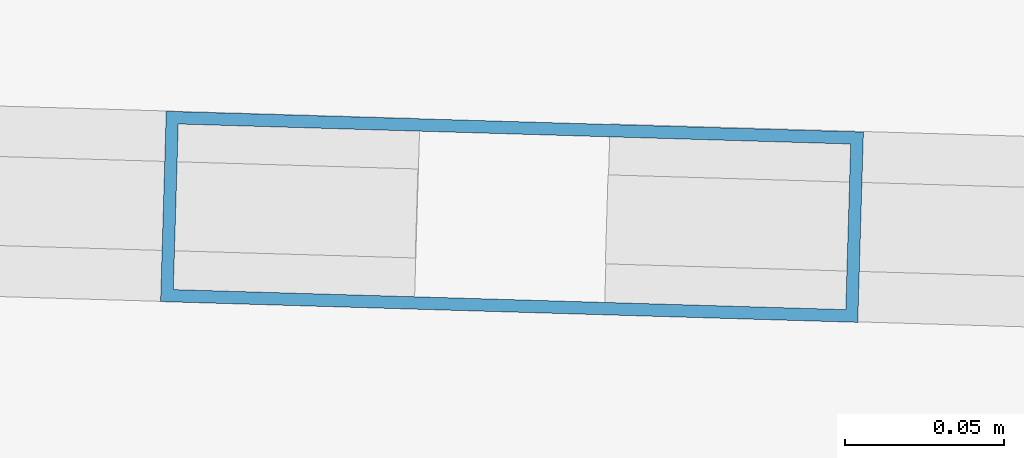
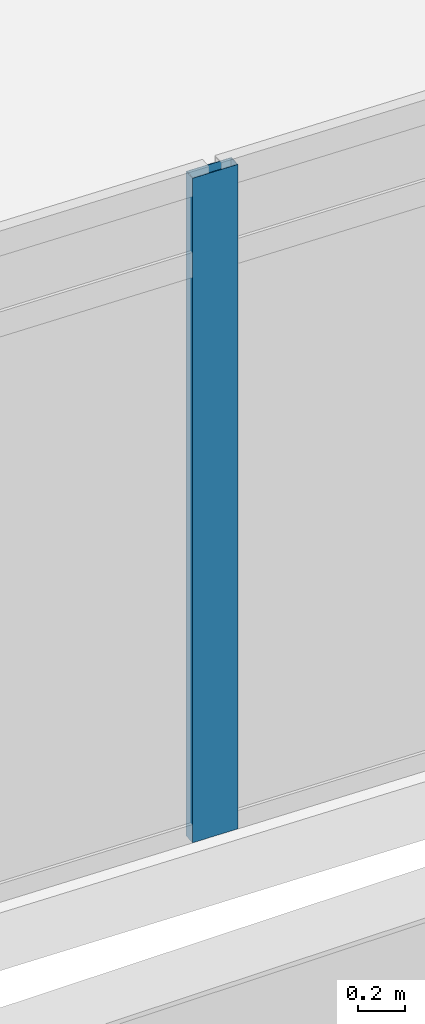
# One storey, part 5 of 28: 1 member, 1 element without a shape of its own.
"""IFC4 building model written with IfcOpenShell, lengths in metres."""

from ifc_helpers import new_model, si_unit, direction, frame, origin, origin_2d, place, context, subcontext, project, spatial, hollow_rectangle, extrude, material, material_profile, profile_set, type_object, element, aggregate, save


model = new_model("IFC4")

# Units and contexts
model_context = context("Model", 3, precision=1e-05, world=origin(), true_north=direction((0.0, 1.0)))
body_context = subcontext(model_context, "Body", "Model", "MODEL_VIEW")
ifc_project = project(units=[si_unit("LENGTHUNIT", "METRE"), si_unit("AREAUNIT", "SQUARE_METRE"), si_unit("VOLUMEUNIT", "CUBIC_METRE"), si_unit("PLANEANGLEUNIT", "RADIAN"), si_unit("MASSUNIT", "GRAM", prefix="KILO")], contexts=[model_context])

# Site, building, storey
site_placement = place(None, origin())
site = spatial("IfcSite", under=ifc_project, at=site_placement, CompositionType="ELEMENT")
building_placement = place(site_placement, origin())
building = spatial("IfcBuilding", under=site, at=building_placement, Name="Ostrander Bayou Hotel Tower", CompositionType="ELEMENT")
storey_placement = place(building_placement, frame((0.0, 0.0, 100.5)))
storey = spatial("IfcBuildingStorey", under=building, at=storey_placement, Name="L25", CompositionType="ELEMENT", Elevation=100.5)

# Curtain wall, member
ifc_material_1 = material(Name="Aluminium and clear glass", Category="aluminium")
curtain_wall_type = type_object("IfcCurtainWallType", Name="CW-BAR glazed wall", PredefinedType="NOTDEFINED", material=ifc_material_1)
curtain_wall_placement = place(storey_placement, origin())
curtain_wall = element("IfcCurtainWall", 1, at=curtain_wall_placement, inside=storey, type_object=curtain_wall_type, Name="CW-BAR L25:SB2S:T", PredefinedType="NOTDEFINED")
ifc_material_2 = material(Name="Aluminium", Category="aluminium")
ifc_material_profile = material_profile(ifc_material_2, hollow_rectangle(XDim=0.06005859375, YDim=0.219970703125, WallThickness=0.00390625, at=origin_2d()))
ifc_profile_set = profile_set([ifc_material_profile], Name="Aluminium")
member_type = type_object("IfcMemberType", Name="CW-BR mullion 60 x 220 mm", PredefinedType="MULLION", material=ifc_profile_set)
member_placement = place(storey_placement, frame((1.0283203125, -31.730712890625, 0.0), z_axis=(0.0, 0.0, 1.0), x_axis=(0.029746242041, 0.999557482631, 0.0)))
member = element("IfcMember", 2, at=member_placement, type_object=member_type, Name="CW-BAR mullion 8", PredefinedType="MULLION", context=body_context, shape_type="SweptSolid", body=[
    extrude(hollow_rectangle(XDim=0.06005859375, YDim=0.219970703125, WallThickness=0.00390625, at=origin_2d()), origin(), (0.0, 0.0, 1.0), 3.449951171875),
])
aggregate(curtain_wall, [member])

save(model, "model.ifc")
